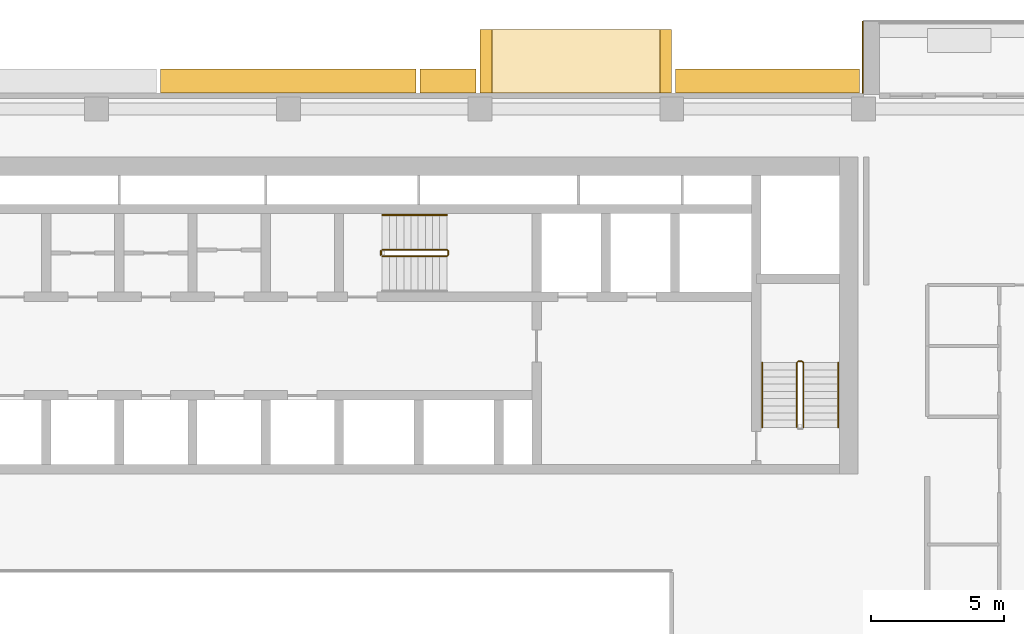
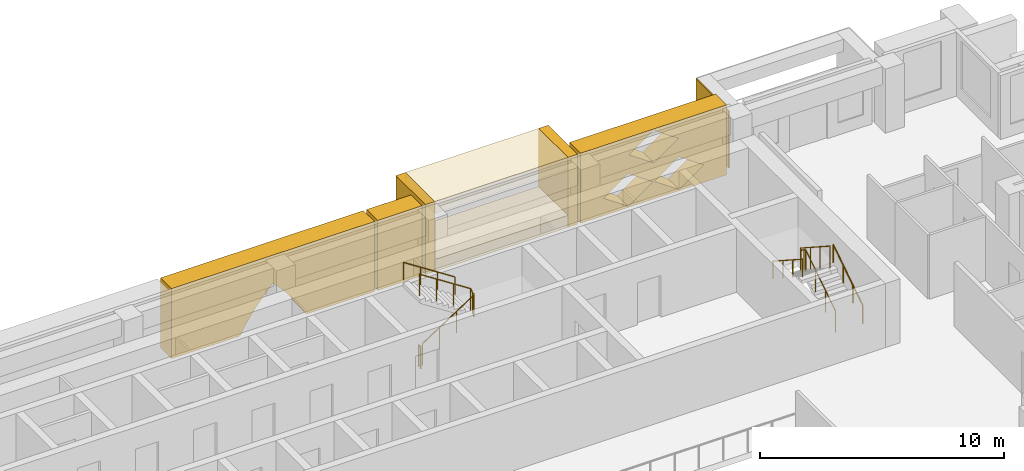
# One storey, part 18 of 19: 8 coverings, 6 railings.
"""IFC4 building model written with IfcOpenShell, lengths in metres."""

from ifc_helpers import new_model, si_unit, direction, frame, origin, origin_2d, place, context, subcontext, project, spatial, polyline, circle, outline, extrude, material, layer, layer_set, type_object, element, save


model = new_model("IFC4")

# Units and contexts
model_context = context("Model", 3, precision=1e-05, world=origin(), true_north=direction((0.0, 1.0)))
body_context = subcontext(model_context, "Body", "Model", "MODEL_VIEW")
ifc_project = project(units=[si_unit("LENGTHUNIT", "METRE"), si_unit("AREAUNIT", "SQUARE_METRE"), si_unit("VOLUMEUNIT", "CUBIC_METRE"), si_unit("PLANEANGLEUNIT", "RADIAN"), si_unit("MASSUNIT", "GRAM", prefix="KILO")], contexts=[model_context])

# Site, building, storey
site_placement = place(None, origin())
site = spatial("IfcSite", under=ifc_project, at=site_placement, CompositionType="ELEMENT")
building_placement = place(site_placement, origin())
building = spatial("IfcBuilding", under=site, at=building_placement, Name="Saffron Iwan Residences", CompositionType="ELEMENT")
storey_placement = place(building_placement, frame((0.0, 0.0, 116.5)))
storey = spatial("IfcBuildingStorey", under=building, at=storey_placement, Name="L30", CompositionType="ELEMENT", Elevation=116.5)

# Coverings
ifc_material_1 = material(Name="Precast concrete C40/50 white painted", Category="concrete")
ifc_layer = layer(ifc_material_1, 0.050048828125)
ifc_layer_set = layer_set([ifc_layer], Name="Precast concrete C40/50 white painted")
covering_type_1 = type_object("IfcCoveringType", Name="FRAME SKIN PRECAST WHITE 50", PredefinedType="CLADDING", material=ifc_layer_set)
covering_1_placement = place(storey_placement, origin())
element("IfcCovering", 1, at=covering_1_placement, inside=storey, type_object=covering_type_1, Name="Frame skin fin L30 F5-0b", PredefinedType="CLADDING", context=body_context, shape_type="SweptSolid", body=[
    extrude(outline(polyline([(72.0, 83.10009765625), (71.949951171875, 83.10009765625), (71.949951171875, 80.39990234375), (72.0, 80.39990234375), (72.0, 83.10009765625)])), origin(), (0.0, 0.0, 1.0), 2.85009765625),
])
covering_type_2 = type_object("IfcCoveringType", Name="IWAN PANEL PRECAST WHITE", PredefinedType="CLADDING", material=ifc_material_1)
covering_2_placement = place(storey_placement, frame((55.199951171875, 80.39990234375, -0.300048828125), z_axis=(0.0, 1.0, 0.0), x_axis=(-1.0, 0.0, 0.0)))
element("IfcCovering", 2, at=covering_2_placement, inside=storey, type_object=covering_type_2, Name="Iwan panel L30 F5.0", PredefinedType="CLADDING", context=body_context, shape_type="SweptSolid", body=[
    extrude(outline(polyline([(0.0, 0.0), (0.0, 3.5), (9.60009765625, 3.5), (9.60009765625, 0.0), (6.369384765625, 0.0), (6.141357421875, 0.40576171875), (5.7392578125, 1.005126953125), (5.291259765625, 1.571044921875), (4.800048828125, 2.10009765625), (4.308837890625, 1.571044921875), (3.86083984375, 1.005126953125), (3.45849609375, 0.40576171875), (3.230712890625, 0.0), (0.0, 0.0)])), origin(), (0.0, 0.0, 1.0), 0.900146484375),
])
ifc_material_2 = material(Name="Precast concrete C40/50", Category="concrete")
covering_type_3 = type_object("IfcCoveringType", Name="OUTER SKIN LATTICE SCREEN", PredefinedType="CLADDING", material=ifc_material_2)
covering_3_placement = place(storey_placement, frame((71.85009765625, 80.39990234375, -0.300048828125), z_axis=(0.0, 1.0, 0.0), x_axis=(-1.0, 0.0, 0.0)))
element("IfcCovering", 3, at=covering_3_placement, inside=storey, type_object=covering_type_3, Name="OUTER SKIN lattice screen L30 F5.1", PredefinedType="CLADDING", context=body_context, shape_type="SweptSolid", body=[
    extrude(outline(polyline([(0.0, 0.0), (6.89990234375, 0.0), (6.89990234375, 3.5), (0.0, 3.5), (0.0, 0.0)]), holes=[polyline([(1.070068359375, 0.875), (2.25, 0.06005859375), (3.429931640625, 0.875), (2.25, 1.68994140625), (1.070068359375, 0.875)]), polyline([(3.469970703125, 0.875), (4.64990234375, 0.06005859375), (5.830078125, 0.875), (4.64990234375, 1.68994140625), (3.469970703125, 0.875)]), polyline([(2.27001953125, 2.625), (3.449951171875, 1.81005859375), (4.6298828125, 2.625), (3.449951171875, 3.43994140625), (2.27001953125, 2.625)])]), origin(), (0.0, 0.0, 1.0), 0.900146484375),
])
covering_4_placement = place(storey_placement, frame((57.449951171875, 80.39990234375, -0.300048828125), z_axis=(0.0, 1.0, 0.0), x_axis=(-1.0, 0.0, 0.0)))
element("IfcCovering", 4, at=covering_4_placement, inside=storey, type_object=covering_type_3, Name="OUTER SKIN lattice screen L30 F5.2", PredefinedType="CLADDING", context=body_context, shape_type="SweptSolid", body=[
    extrude(outline(polyline([(0.0, 0.0), (2.10009765625, 0.0), (2.10009765625, 3.5), (0.0, 3.5), (0.0, 0.0)])), origin(), (0.0, 0.0, 1.0), 0.900146484375),
])

# Railings
ifc_material_3 = material(Name="Steel S355", Category="steel")
railing_type_1 = type_object("IfcRailingType", Name="Stair guard 1100", PredefinedType="GUARDRAIL", material=ifc_material_3)
railing_1_placement = place(storey_placement, frame((53.925048828125, 74.27490234375, 0.175048828125)))
element("IfcRailing", 5, at=railing_1_placement, inside=storey, type_object=railing_type_1, Name="L30 ST-C stair guard 1", PredefinedType="GUARDRAIL", context=body_context, shape_type="SweptSolid", body=[
    extrude(circle(Radius=0.02392578125, at=origin_2d()), frame((0.0, 0.0, 1.076171875), z_axis=(0.839153699163, 0.0, 0.543894354798), x_axis=(0.0, 1.0, 0.0)), (0.0, 0.0, 1.0), 2.895751953125),
    extrude(circle(Radius=0.02392578125, at=origin_2d()), frame((2.429931640625, 0.0, 2.65087890625), z_axis=(0.707106781187, 0.707106781187, 0.0), x_axis=(-0.707106781187, 0.707106781187, 0.0)), (0.0, 0.0, 1.0), 0.07080078125),
    extrude(circle(Radius=0.02392578125, at=origin_2d()), frame((2.47998046875, 0.050048828125, 2.65087890625), z_axis=(0.0, 1.0, 0.0), x_axis=(-1.0, 0.0, 0.0)), (0.0, 0.0, 1.0), 0.150146484375),
    extrude(circle(Radius=0.02392578125, at=origin_2d()), frame((2.47998046875, 0.2001953125, 2.65087890625), z_axis=(-0.265155923931, 0.263862480399, 0.927399011991), x_axis=(-0.705375805398, -0.708833529934, 0.0)), (0.0, 0.0, 1.0), 0.188720703125),
    extrude(circle(Radius=0.02392578125, at=origin_2d()), frame((2.429931640625, 0.25, 2.826171875), z_axis=(-0.839153699163, 0.0, 0.543894354798), x_axis=(0.0, -1.0, 0.0)), (0.0, 0.0, 1.0), 2.895751953125),
    extrude(circle(Radius=0.02099609375, at=origin_2d()), origin(), (0.0, 0.0, 1.0), 1.052001953125),
    extrude(circle(Radius=0.02099609375, at=origin_2d()), frame((0.81005859375, 0.0, 0.52490234375)), (0.0, 0.0, 1.0), 1.052001953125),
    extrude(circle(Radius=0.02099609375, at=origin_2d()), frame((1.619873046875, 0.0, 1.050048828125)), (0.0, 0.0, 1.0), 1.052001953125),
    extrude(circle(Radius=0.02099609375, at=origin_2d()), frame((2.429931640625, 0.0, 1.574951171875)), (0.0, 0.0, 1.0), 1.052001953125),
    extrude(circle(Radius=0.02099609375, at=origin_2d()), frame((2.47998046875, 0.050048828125, 1.574951171875)), (0.0, 0.0, 1.0), 1.052001953125),
    extrude(circle(Radius=0.02099609375, at=origin_2d()), frame((2.47998046875, 0.2001953125, 1.574951171875)), (0.0, 0.0, 1.0), 1.052001953125),
    extrude(circle(Radius=0.02099609375, at=origin_2d()), frame((2.429931640625, 0.25, 1.75)), (0.0, 0.0, 1.0), 1.052001953125),
    extrude(circle(Radius=0.02099609375, at=origin_2d()), frame((1.619873046875, 0.25, 2.27490234375)), (0.0, 0.0, 1.0), 1.052001953125),
    extrude(circle(Radius=0.02099609375, at=origin_2d()), frame((0.81005859375, 0.25, 2.800048828125)), (0.0, 0.0, 1.0), 1.052001953125),
    extrude(circle(Radius=0.02099609375, at=origin_2d()), frame((0.0, 0.25, 3.324951171875)), (0.0, 0.0, 1.0), 1.052001953125),
])
railing_2_placement = place(storey_placement, frame((53.875, 74.324951171875, 0.0)))
element("IfcRailing", 6, at=railing_2_placement, inside=storey, type_object=railing_type_1, Name="L30 ST-C stair guard 2", PredefinedType="GUARDRAIL", context=body_context, shape_type="SweptSolid", body=[
    extrude(circle(Radius=0.02392578125, at=origin_2d()), frame((0.0, 0.0, 1.076171875), z_axis=(0.0, 1.0, 0.0), x_axis=(-1.0, 0.0, 0.0)), (0.0, 0.0, 1.0), 0.150146484375),
    extrude(circle(Radius=0.02099609375, at=origin_2d()), origin(), (0.0, 0.0, 1.0), 1.052001953125),
    extrude(circle(Radius=0.02099609375, at=origin_2d()), frame((0.0, 0.150146484375, 0.0)), (0.0, 0.0, 1.0), 1.052001953125),
])
railing_3_placement = place(storey_placement, frame((69.75, 67.85009765625, 0.175048828125)))
element("IfcRailing", 7, at=railing_3_placement, inside=storey, type_object=railing_type_1, Name="L30 ST-E stair guard 1", PredefinedType="GUARDRAIL", context=body_context, shape_type="SweptSolid", body=[
    extrude(circle(Radius=0.02392578125, at=origin_2d()), frame((0.0, 0.0, 1.076171875), z_axis=(0.0, 0.839153699163, 0.543894354798), x_axis=(-1.0, 0.0, 0.0)), (0.0, 0.0, 1.0), 2.895751953125),
    extrude(circle(Radius=0.02392578125, at=origin_2d()), frame((0.0, 2.429931640625, 2.65087890625), z_axis=(-0.707106781187, 0.707106781187, 0.0), x_axis=(-0.707106781187, -0.707106781187, 0.0)), (0.0, 0.0, 1.0), 0.07080078125),
    extrude(circle(Radius=0.02392578125, at=origin_2d()), frame((-0.050048828125, 2.47998046875, 2.65087890625), z_axis=(-1.0, 0.0, 0.0), x_axis=(0.0, -1.0, 0.0)), (0.0, 0.0, 1.0), 0.14990234375),
    extrude(circle(Radius=0.02392578125, at=origin_2d()), frame((-0.199951171875, 2.47998046875, 2.65087890625), z_axis=(-0.265065253269, -0.265065253269, 0.927081885822), x_axis=(0.707106781187, -0.707106781187, 0.0)), (0.0, 0.0, 1.0), 0.188720703125),
    extrude(circle(Radius=0.02392578125, at=origin_2d()), frame((-0.25, 2.429931640625, 2.826171875), z_axis=(0.0, -0.839153699163, 0.543894354798), x_axis=(1.0, 0.0, 0.0)), (0.0, 0.0, 1.0), 2.895751953125),
    extrude(circle(Radius=0.02099609375, at=origin_2d()), origin(), (0.0, 0.0, 1.0), 1.052001953125),
    extrude(circle(Radius=0.02099609375, at=origin_2d()), frame((0.0, 0.81005859375, 0.52490234375)), (0.0, 0.0, 1.0), 1.052001953125),
    extrude(circle(Radius=0.02099609375, at=origin_2d()), frame((0.0, 1.619873046875, 1.050048828125)), (0.0, 0.0, 1.0), 1.052001953125),
    extrude(circle(Radius=0.02099609375, at=origin_2d()), frame((0.0, 2.429931640625, 1.574951171875)), (0.0, 0.0, 1.0), 1.052001953125),
    extrude(circle(Radius=0.02099609375, at=origin_2d()), frame((-0.050048828125, 2.47998046875, 1.574951171875)), (0.0, 0.0, 1.0), 1.052001953125),
    extrude(circle(Radius=0.02099609375, at=origin_2d()), frame((-0.199951171875, 2.47998046875, 1.574951171875)), (0.0, 0.0, 1.0), 1.052001953125),
    extrude(circle(Radius=0.02099609375, at=origin_2d()), frame((-0.25, 2.429931640625, 1.75)), (0.0, 0.0, 1.0), 1.052001953125),
    extrude(circle(Radius=0.02099609375, at=origin_2d()), frame((-0.25, 1.619873046875, 2.27490234375)), (0.0, 0.0, 1.0), 1.052001953125),
    extrude(circle(Radius=0.02099609375, at=origin_2d()), frame((-0.25, 0.81005859375, 2.800048828125)), (0.0, 0.0, 1.0), 1.052001953125),
    extrude(circle(Radius=0.02099609375, at=origin_2d()), frame((-0.25, 0.0, 3.324951171875)), (0.0, 0.0, 1.0), 1.052001953125),
])
ifc_material_4 = material(Name="Stainless steel 316", Category="steel")
railing_type_2 = type_object("IfcRailingType", Name="Stair handrail 900", PredefinedType="HANDRAIL", material=ifc_material_4)
railing_4_placement = place(storey_placement, frame((56.35498046875, 75.824951171875, 1.925048828125)))
element("IfcRailing", 8, at=railing_4_placement, inside=storey, type_object=railing_type_2, Name="L30 ST-C stair handrail 2", PredefinedType="HANDRAIL", context=body_context, shape_type="SweptSolid", body=[
    extrude(circle(Radius=0.02392578125, at=origin_2d()), frame((0.0, 0.0, 0.8759765625), z_axis=(-0.839153699163, 0.0, 0.543894354798), x_axis=(0.0, -1.0, 0.0)), (0.0, 0.0, 1.0), 2.895751953125),
    extrude(circle(Radius=0.02099609375, at=origin_2d()), origin(), (0.0, 0.0, 1.0), 0.851806640625),
    extrude(circle(Radius=0.02099609375, at=origin_2d()), frame((-0.81005859375, 0.0, 0.52490234375)), (0.0, 0.0, 1.0), 0.851806640625),
    extrude(circle(Radius=0.02099609375, at=origin_2d()), frame((-1.619873046875, 0.0, 1.050048828125)), (0.0, 0.0, 1.0), 0.851806640625),
    extrude(circle(Radius=0.02099609375, at=origin_2d()), frame((-2.429931640625, 0.0, 1.574951171875)), (0.0, 0.0, 1.0), 0.851806640625),
])
railing_5_placement = place(storey_placement, frame((71.050048828125, 67.85009765625, 0.175048828125)))
element("IfcRailing", 9, at=railing_5_placement, inside=storey, type_object=railing_type_2, Name="L30 ST-E stair handrail 1", PredefinedType="HANDRAIL", context=body_context, shape_type="SweptSolid", body=[
    extrude(circle(Radius=0.02392578125, at=origin_2d()), frame((0.0, 0.0, 0.8759765625), z_axis=(0.0, 0.839153699163, 0.543894354798), x_axis=(-1.0, 0.0, 0.0)), (0.0, 0.0, 1.0), 2.895751953125),
    extrude(circle(Radius=0.02099609375, at=origin_2d()), origin(), (0.0, 0.0, 1.0), 0.851806640625),
    extrude(circle(Radius=0.02099609375, at=origin_2d()), frame((0.0, 0.81005859375, 0.52490234375)), (0.0, 0.0, 1.0), 0.851806640625),
    extrude(circle(Radius=0.02099609375, at=origin_2d()), frame((0.0, 1.619873046875, 1.050048828125)), (0.0, 0.0, 1.0), 0.851806640625),
    extrude(circle(Radius=0.02099609375, at=origin_2d()), frame((0.0, 2.429931640625, 1.574951171875)), (0.0, 0.0, 1.0), 0.851806640625),
])
railing_6_placement = place(storey_placement, frame((68.199951171875, 70.280029296875, 1.925048828125)))
element("IfcRailing", 10, at=railing_6_placement, inside=storey, type_object=railing_type_2, Name="L30 ST-E stair handrail 2", PredefinedType="HANDRAIL", context=body_context, shape_type="SweptSolid", body=[
    extrude(circle(Radius=0.02392578125, at=origin_2d()), frame((0.0, 0.0, 0.8759765625), z_axis=(0.0, -0.839153699163, 0.543894354798), x_axis=(1.0, 0.0, 0.0)), (0.0, 0.0, 1.0), 2.895751953125),
    extrude(circle(Radius=0.02099609375, at=origin_2d()), origin(), (0.0, 0.0, 1.0), 0.851806640625),
    extrude(circle(Radius=0.02099609375, at=origin_2d()), frame((0.0, -0.81005859375, 0.52490234375)), (0.0, 0.0, 1.0), 0.851806640625),
    extrude(circle(Radius=0.02099609375, at=origin_2d()), frame((0.0, -1.619873046875, 1.050048828125)), (0.0, 0.0, 1.0), 0.851806640625),
    extrude(circle(Radius=0.02099609375, at=origin_2d()), frame((0.0, -2.429931640625, 1.574951171875)), (0.0, 0.0, 1.0), 0.851806640625),
])

# Coverings
covering_type_4 = type_object("IfcCoveringType", Name="WHITE SUN FRAME PRECAST", PredefinedType="CLADDING", material=ifc_material_1)
for number, where, z_axis, x_axis, name in (
    (11, (64.800048828125, 80.39990234375, -0.300048828125), (0.0, 1.0, 0.0), (-1.0, 0.0, 0.0), "Sun frame L30 F5 18.0a"),
    (12, (58.050048828125, 80.39990234375, -0.300048828125), (0.0, 1.0, 0.0), (-1.0, 0.0, 0.0), "Sun frame L30 F5 18.0b"),
):
    element("IfcCovering", number, at=place(storey_placement, frame(where, z_axis=z_axis, x_axis=x_axis)), inside=storey, type_object=covering_type_4, Name=name, PredefinedType="CLADDING", context=body_context, shape_type="SweptSolid", body=[
        extrude(outline(polyline([(0.0, 0.0), (0.449951171875, 0.0), (0.449951171875, 3.5), (0.0, 3.5), (0.0, 0.0)])), origin(), (0.0, 0.0, 1.0), 2.400146484375),
    ])
for number, where, z_axis, x_axis, name in (
    (13, (64.35009765625, 80.39990234375, 2.60009765625), (0.0, 1.0, 0.0), (-1.0, 0.0, 0.0), "Sun frame L30 F5 18.0h"),
    (14, (64.35009765625, 80.39990234375, -0.300048828125), (0.0, 1.0, 0.0), (-1.0, 0.0, 0.0), "Sun frame L30 F5 18.0s"),
):
    element("IfcCovering", number, at=place(storey_placement, frame(where, z_axis=z_axis, x_axis=x_axis)), inside=storey, type_object=covering_type_4, Name=name, PredefinedType="CLADDING", context=body_context, shape_type="SweptSolid", body=[
        extrude(outline(polyline([(0.0, 0.0), (6.300048828125, 0.0), (6.300048828125, 0.60009765625), (0.0, 0.60009765625), (0.0, 0.0)])), origin(), (0.0, 0.0, 1.0), 2.400146484375),
    ])

save(model, "model.ifc")
